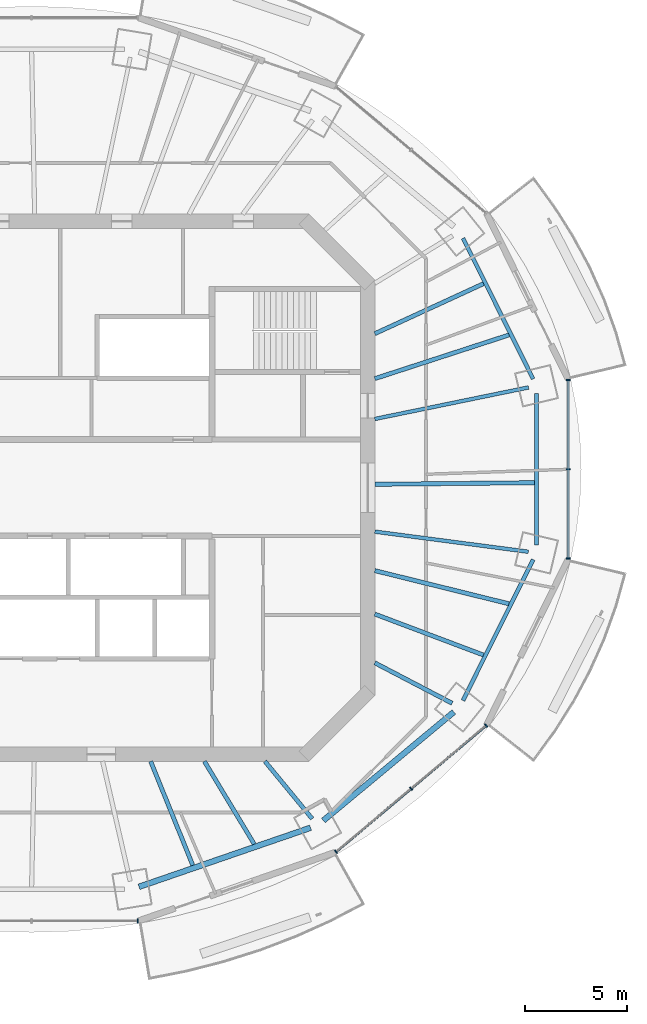
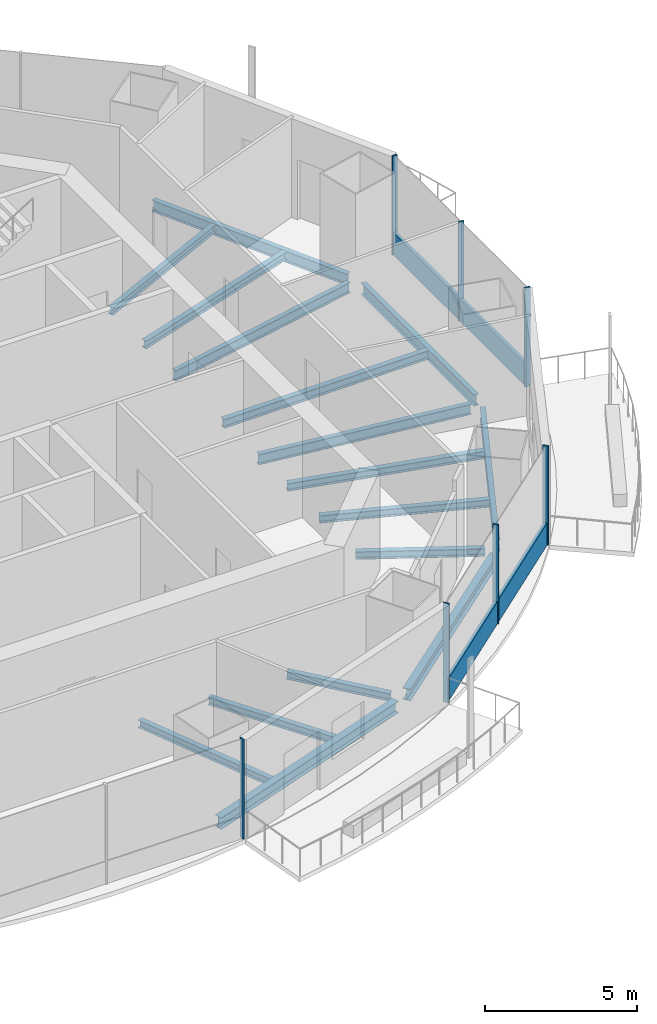
# One storey, part 4 of 16: 16 beams, 9 members, 3 elements without a shape of their own.
"""IFC4 building model written with IfcOpenShell, lengths in metres."""

from ifc_helpers import new_model, si_unit, direction, frame, origin, origin_2d, place, context, subcontext, project, spatial, rectangle, i_section, extrude, material, material_profile, profile_set, type_object, element, aggregate, save


model = new_model("IFC4")

# Units and contexts
model_context = context("Model", 3, precision=1e-05, world=origin(), true_north=direction((0.0, 1.0)))
body_context = subcontext(model_context, "Body", "Model", "MODEL_VIEW")
ifc_project = project(units=[si_unit("LENGTHUNIT", "METRE"), si_unit("AREAUNIT", "SQUARE_METRE"), si_unit("VOLUMEUNIT", "CUBIC_METRE"), si_unit("PLANEANGLEUNIT", "RADIAN"), si_unit("MASSUNIT", "GRAM", prefix="KILO")], contexts=[model_context])

# Site, building, storey
site_placement = place(None, origin())
site = spatial("IfcSite", under=ifc_project, at=site_placement, CompositionType="ELEMENT")
building_placement = place(site_placement, origin())
building = spatial("IfcBuilding", under=site, at=building_placement, Name="Marenthal Gate Tower", CompositionType="ELEMENT")
storey_placement = place(building_placement, frame((0.0, 0.0, 355.050048828125)))
storey = spatial("IfcBuildingStorey", under=building, at=storey_placement, Name="L80", CompositionType="ELEMENT", Elevation=355.050048828125)

# Curtain wall, member
ifc_material_1 = material(Name="Aluminium and glass", Category="aluminium")
curtain_wall_type = type_object("IfcCurtainWallType", Name="Curtain wall typical high", PredefinedType="NOTDEFINED", material=ifc_material_1)
curtain_wall_1_placement = place(storey_placement, origin())
curtain_wall_1 = element("IfcCurtainWall", 1, at=curtain_wall_1_placement, inside=storey, type_object=curtain_wall_type, Name="Curtain wall L80 bay 12", PredefinedType="NOTDEFINED")
ifc_material_2 = material(Name="Aluminium", Category="aluminium")
ifc_material_profile_1 = material_profile(ifc_material_2, rectangle(XDim=0.199951171875, YDim=0.06005859375, at=origin_2d()), Name="60x200 aluminium mullion")
ifc_profile_set_1 = profile_set([ifc_material_profile_1], Name="Aluminium")
member_type_1 = type_object("IfcMemberType", Name="Mullion 60x200 typical high", PredefinedType="MULLION", material=ifc_profile_set_1)
member_1_placement = place(storey_placement, frame((4.7802734375, -21.14404296875, 0.0), z_axis=(0.0, 0.0, 1.0), x_axis=(0.0, 1.0, 0.0)))
member_1 = element("IfcMember", 2, at=member_1_placement, type_object=member_type_1, Name="Mullion L80 bay 12.3", PredefinedType="MULLION", context=body_context, shape_type="SweptSolid", body=[
    extrude(rectangle(XDim=0.199951171875, YDim=0.06005859375, at=origin_2d()), origin(), (0.0, 0.0, 1.0), 3.969970703125),
])
aggregate(curtain_wall_1, [member_1])

# Curtain wall, members
curtain_wall_2_placement = place(storey_placement, origin())
curtain_wall_2 = element("IfcCurtainWall", 3, at=curtain_wall_2_placement, inside=storey, type_object=curtain_wall_type, Name="Curtain wall L80 bay 14", PredefinedType="NOTDEFINED")
member_2_placement = place(storey_placement, frame((14.46044921875, -17.768798828125, 0.0), z_axis=(0.0, 0.0, 1.0), x_axis=(-0.643895579249, 0.765113379195, 0.0)))
member_2 = element("IfcMember", 4, at=member_2_placement, type_object=member_type_1, Name="Mullion L80 bay 14.1", PredefinedType="MULLION", context=body_context, shape_type="SweptSolid", body=[
    extrude(rectangle(XDim=0.199951171875, YDim=0.06005859375, at=origin_2d()), origin(), (0.0, 0.0, 1.0), 3.969970703125),
])
member_3_placement = place(storey_placement, frame((18.121826171875, -14.6875, 0.0), z_axis=(0.0, 0.0, 1.0), x_axis=(-0.643895579249, 0.765113379195, 0.0)))
member_3 = element("IfcMember", 5, at=member_3_placement, type_object=member_type_1, Name="Mullion L80 bay 14.2", PredefinedType="MULLION", context=body_context, shape_type="SweptSolid", body=[
    extrude(rectangle(XDim=0.199951171875, YDim=0.06005859375, at=origin_2d()), origin(), (0.0, 0.0, 1.0), 3.969970703125),
])
member_4_placement = place(storey_placement, frame((21.783203125, -11.606201171875, 0.0), z_axis=(0.0, 0.0, 1.0), x_axis=(-0.643895579249, 0.765113379195, 0.0)))
member_4 = element("IfcMember", 6, at=member_4_placement, type_object=member_type_1, Name="Mullion L80 bay 14.3", PredefinedType="MULLION", context=body_context, shape_type="SweptSolid", body=[
    extrude(rectangle(XDim=0.199951171875, YDim=0.06005859375, at=origin_2d()), origin(), (0.0, 0.0, 1.0), 3.969970703125),
])

curtain_wall_3_placement = place(storey_placement, origin())
curtain_wall_3 = element("IfcCurtainWall", 7, at=curtain_wall_3_placement, inside=storey, type_object=curtain_wall_type, Name="Curtain wall L80 bay 16", PredefinedType="NOTDEFINED")
member_5_placement = place(storey_placement, frame((25.793701171875, -3.454833984375, 0.0), z_axis=(0.0, 0.0, 1.0), x_axis=(-1.0, 0.0, 0.0)))
member_5 = element("IfcMember", 8, at=member_5_placement, type_object=member_type_1, Name="Mullion L80 bay 16.1", PredefinedType="MULLION", context=body_context, shape_type="SweptSolid", body=[
    extrude(rectangle(XDim=0.199951171875, YDim=0.06005859375, at=origin_2d()), origin(), (0.0, 0.0, 1.0), 3.969970703125),
])
member_6_placement = place(storey_placement, frame((25.793701171875, 0.89990234375, 0.0), z_axis=(0.0, 0.0, 1.0), x_axis=(-1.0, 0.0, 0.0)))
member_6 = element("IfcMember", 9, at=member_6_placement, type_object=member_type_1, Name="Mullion L80 bay 16.2", PredefinedType="MULLION", context=body_context, shape_type="SweptSolid", body=[
    extrude(rectangle(XDim=0.199951171875, YDim=0.06005859375, at=origin_2d()), origin(), (0.0, 0.0, 1.0), 3.969970703125),
])
member_7_placement = place(storey_placement, frame((25.793701171875, 5.2548828125, 0.0), z_axis=(0.0, 0.0, 1.0), x_axis=(-1.0, 0.0, 0.0)))
member_7 = element("IfcMember", 10, at=member_7_placement, type_object=member_type_1, Name="Mullion L80 bay 16.3", PredefinedType="MULLION", context=body_context, shape_type="SweptSolid", body=[
    extrude(rectangle(XDim=0.199951171875, YDim=0.06005859375, at=origin_2d()), origin(), (0.0, 0.0, 1.0), 3.969970703125),
])

# Member
ifc_material_3 = material(Name="Aluminium", Category="aluminium")
ifc_material_profile_2 = material_profile(ifc_material_3, rectangle(XDim=0.1201171875, YDim=0.89990234375, at=origin_2d()), Name="120x900 aluminium transom")
ifc_profile_set_2 = profile_set([ifc_material_profile_2], Name="Aluminium")
member_type_2 = type_object("IfcMemberType", Name="Transom 120x900 typical high", PredefinedType="USERDEFINED", material=ifc_profile_set_2)
member_8_placement = place(storey_placement, frame((14.4833984375, -17.74951171875, 0.449951171875), z_axis=(0.765123507082, 0.643883544526, 0.0), x_axis=(-0.643883544526, 0.765123507082, 0.0)))
member_8 = element("IfcMember", 11, at=member_8_placement, type_object=member_type_2, Name="Transom L80 bay 14", ObjectType="TRANSOM", PredefinedType="USERDEFINED", context=body_context, shape_type="SweptSolid", body=[
    extrude(rectangle(XDim=0.1201171875, YDim=0.89990234375, at=origin_2d()), origin(), (0.0, 0.0, 1.0), 9.5107421875),
])

aggregate(curtain_wall_2, [member_2, member_3, member_4, member_8])

member_9_placement = place(storey_placement, frame((25.793701171875, -3.4248046875, 0.449951171875), z_axis=(0.0, 1.0, 0.0), x_axis=(-1.0, 0.0, 0.0)))
member_9 = element("IfcMember", 12, at=member_9_placement, type_object=member_type_2, Name="Transom L80 bay 16", ObjectType="TRANSOM", PredefinedType="USERDEFINED", context=body_context, shape_type="SweptSolid", body=[
    extrude(rectangle(XDim=0.1201171875, YDim=0.89990234375, at=origin_2d()), origin(), (0.0, 0.0, 1.0), 8.649658203125),
])

aggregate(curtain_wall_3, [member_5, member_6, member_7, member_9])

# Beams
ifc_material_4 = material(Name="Steel S355", Category="steel")
ifc_material_profile_3 = material_profile(ifc_material_4, i_section(OverallWidth=0.202880859375, OverallDepth=0.302001953125, WebThickness=0.007568359375, FlangeThickness=0.01318359375, FilletRadius=0.0126953125, at=origin_2d()), Name="W310X60")
ifc_profile_set_3 = profile_set([ifc_material_profile_3], Name="Steel S355")
beam_type_1 = type_object("IfcBeamType", Name="W310X60 beam", PredefinedType="BEAM", material=ifc_profile_set_3)
beam_1_placement = place(storey_placement, frame((21.656005859375, 9.95849609375, -0.3310546875), z_axis=(-0.908525049261, -0.417830390069, 0.0), x_axis=(0.417830390069, -0.908525049261, 0.0)))
element("IfcBeam", 13, at=beam_1_placement, inside=storey, type_object=beam_type_1, Name="BM-L80-18", PredefinedType="BEAM", context=body_context, shape_type="SweptSolid", body=[
    extrude(i_section(OverallWidth=0.202880859375, OverallDepth=0.302001953125, WebThickness=0.007568359375, FlangeThickness=0.01318359375, FilletRadius=0.0126953125, at=origin_2d()), origin(), (0.0, 0.0, 1.0), 5.840087890625),
])
beam_2_placement = place(storey_placement, frame((7.46875, -18.425048828125, -0.3310546875), z_axis=(-0.37566060871, 0.926757307532, 0.0), x_axis=(-0.926757307532, -0.37566060871, 0.0)))
element("IfcBeam", 14, at=beam_2_placement, inside=storey, type_object=beam_type_1, Name="BM-L80-35", PredefinedType="BEAM", context=body_context, shape_type="SweptSolid", body=[
    extrude(i_section(OverallWidth=0.202880859375, OverallDepth=0.302001953125, WebThickness=0.007568359375, FlangeThickness=0.01318359375, FilletRadius=0.0126953125, at=origin_2d()), origin(), (0.0, 0.0, 1.0), 5.47607421875),
])
beam_3_placement = place(storey_placement, frame((10.467041015625, -17.39208984375, -0.3310546875), z_axis=(-0.515690075221, 0.856775201741, 0.0), x_axis=(-0.856775201741, -0.515690075221, 0.0)))
element("IfcBeam", 15, at=beam_3_placement, inside=storey, type_object=beam_type_1, Name="BM-L80-36", PredefinedType="BEAM", context=body_context, shape_type="SweptSolid", body=[
    extrude(i_section(OverallWidth=0.202880859375, OverallDepth=0.302001953125, WebThickness=0.007568359375, FlangeThickness=0.01318359375, FilletRadius=0.0126953125, at=origin_2d()), origin(), (0.0, 0.0, 1.0), 4.7177734375),
])
beam_4_placement = place(storey_placement, frame((21.653076171875, -8.16455078125, -0.3310546875), z_axis=(-0.935681433013, 0.352845937931, 0.0), x_axis=(-0.352845937931, -0.935681433013, 0.0)))
element("IfcBeam", 16, at=beam_4_placement, inside=storey, type_object=beam_type_1, Name="BM-L80-37", PredefinedType="BEAM", context=body_context, shape_type="SweptSolid", body=[
    extrude(i_section(OverallWidth=0.202880859375, OverallDepth=0.302001953125, WebThickness=0.007568359375, FlangeThickness=0.01318359375, FilletRadius=0.0126953125, at=origin_2d()), origin(), (0.0, 0.0, 1.0), 5.66748046875),
])
ifc_material_5 = material(Name="Steel S355", Category="steel")
ifc_material_profile_4 = material_profile(ifc_material_5, i_section(OverallWidth=0.205078125, OverallDepth=0.31005859375, WebThickness=0.009521484375, FlangeThickness=0.016357421875, FilletRadius=0.0126953125, at=origin_2d()), Name="W310X74")
ifc_profile_set_4 = profile_set([ifc_material_profile_4], Name="Steel S355")
beam_type_2 = type_object("IfcBeamType", Name="W310X74 beam", PredefinedType="BEAM", material=ifc_profile_set_4)
beam_5_placement = place(storey_placement, frame((13.2958984375, -16.154052734375, -0.3349609375), z_axis=(-0.635457429148, 0.772135904968, 0.0), x_axis=(-0.772135904968, -0.635457429148, 0.0)))
element("IfcBeam", 17, at=beam_5_placement, inside=storey, type_object=beam_type_2, Name="BM-L80-14", PredefinedType="BEAM", context=body_context, shape_type="SweptSolid", body=[
    extrude(i_section(OverallWidth=0.205078125, OverallDepth=0.31005859375, WebThickness=0.009521484375, FlangeThickness=0.016357421875, FilletRadius=0.0126953125, at=origin_2d()), origin(), (0.0, 0.0, 1.0), 3.63134765625),
])
beam_6_placement = place(storey_placement, frame((20.122314453125, -10.515869140625, -0.3349609375), z_axis=(-0.886264510552, 0.463179465582, 0.0), x_axis=(-0.463179465582, -0.886264510552, 0.0)))
element("IfcBeam", 18, at=beam_6_placement, inside=storey, type_object=beam_type_2, Name="BM-L80-15", PredefinedType="BEAM", context=body_context, shape_type="SweptSolid", body=[
    extrude(i_section(OverallWidth=0.205078125, OverallDepth=0.31005859375, WebThickness=0.009521484375, FlangeThickness=0.016357421875, FilletRadius=0.0126953125, at=origin_2d()), origin(), (0.0, 0.0, 1.0), 4.25634765625),
])
beam_7_placement = place(storey_placement, frame((22.90185546875, 7.45751953125, -0.3349609375), z_axis=(-0.950864154152, -0.309608398382, 0.0), x_axis=(0.309608398382, -0.950864154152, 0.0)))
element("IfcBeam", 19, at=beam_7_placement, inside=storey, type_object=beam_type_2, Name="BM-L80-17", PredefinedType="BEAM", context=body_context, shape_type="SweptSolid", body=[
    extrude(i_section(OverallWidth=0.205078125, OverallDepth=0.31005859375, WebThickness=0.009521484375, FlangeThickness=0.016357421875, FilletRadius=0.0126953125, at=origin_2d()), origin(), (0.0, 0.0, 1.0), 6.890380859375),
])
beam_8_placement = place(storey_placement, frame((22.898681640625, -5.6640625, -0.3349609375), z_axis=(-0.970741975018, 0.240125004818, 0.0), x_axis=(-0.240125004818, -0.970741975018, 0.0)))
element("IfcBeam", 20, at=beam_8_placement, inside=storey, type_object=beam_type_2, Name="BM-L80-38", PredefinedType="BEAM", context=body_context, shape_type="SweptSolid", body=[
    extrude(i_section(OverallWidth=0.205078125, OverallDepth=0.31005859375, WebThickness=0.009521484375, FlangeThickness=0.016357421875, FilletRadius=0.0126953125, at=origin_2d()), origin(), (0.0, 0.0, 1.0), 6.745849609375),
])
ifc_material_6 = material(Name="Steel S355", Category="steel")
ifc_material_profile_5 = material_profile(ifc_material_6, i_section(OverallWidth=0.205078125, OverallDepth=0.35302734375, WebThickness=0.009521484375, FlangeThickness=0.016845703125, FilletRadius=0.014892578125, at=origin_2d()), Name="W360X79")
ifc_profile_set_5 = profile_set([ifc_material_profile_5], Name="Steel S355")
beam_type_3 = type_object("IfcBeamType", Name="W360X79 beam", PredefinedType="BEAM", material=ifc_profile_set_5)
beam_9_placement = place(storey_placement, frame((24.148681640625, 0.246826171875, -0.3564453125), z_axis=(-0.999947606191, -0.010236448274, 0.0), x_axis=(0.010236448274, -0.999947606191, 0.0)))
element("IfcBeam", 21, at=beam_9_placement, inside=storey, type_object=beam_type_3, Name="BM-L80-39", PredefinedType="BEAM", context=body_context, shape_type="SweptSolid", body=[
    extrude(i_section(OverallWidth=0.205078125, OverallDepth=0.35302734375, WebThickness=0.009521484375, FlangeThickness=0.016845703125, FilletRadius=0.014892578125, at=origin_2d()), origin(), (0.0, 0.0, 1.0), 7.799072265625),
])
ifc_material_7 = material(Name="Steel S355", Category="steel")
ifc_material_profile_6 = material_profile(ifc_material_7, i_section(OverallWidth=0.180908203125, OverallDepth=0.4169921875, WebThickness=0.010986328125, FlangeThickness=0.018310546875, FilletRadius=0.01025390625, at=origin_2d()), Name="W410X85")
ifc_profile_set_6 = profile_set([ifc_material_profile_6], Name="Steel S355")
beam_type_4 = type_object("IfcBeamType", Name="W410X85 beam", PredefinedType="BEAM", material=ifc_profile_set_6)
beam_10_placement = place(storey_placement, frame((23.851806640625, 4.89599609375, -0.388427734375), z_axis=(-0.979577430245, -0.201067297574, 0.0), x_axis=(0.201067297574, -0.979577430245, 0.0)))
element("IfcBeam", 22, at=beam_10_placement, inside=storey, type_object=beam_type_4, Name="BM-L80-01", PredefinedType="BEAM", context=body_context, shape_type="SweptSolid", body=[
    extrude(i_section(OverallWidth=0.180908203125, OverallDepth=0.4169921875, WebThickness=0.010986328125, FlangeThickness=0.018310546875, FilletRadius=0.01025390625, at=origin_2d()), origin(), (0.0, 0.0, 1.0), 7.658203125),
])
beam_11_placement = place(storey_placement, frame((23.8427734375, -3.1240234375, -0.388427734375), z_axis=(-0.99152584313, 0.129909593197, 0.0), x_axis=(-0.129909593197, -0.99152584313, 0.0)))
element("IfcBeam", 23, at=beam_11_placement, inside=storey, type_object=beam_type_4, Name="BM-L80-16", PredefinedType="BEAM", context=body_context, shape_type="SweptSolid", body=[
    extrude(i_section(OverallWidth=0.180908203125, OverallDepth=0.4169921875, WebThickness=0.010986328125, FlangeThickness=0.018310546875, FilletRadius=0.01025390625, at=origin_2d()), origin(), (0.0, 0.0, 1.0), 7.556640625),
])
ifc_material_8 = material(Name="Steel S355", Category="steel")
ifc_material_profile_7 = material_profile(ifc_material_8, i_section(OverallWidth=0.279052734375, OverallDepth=0.4619140625, WebThickness=0.0107421875, FlangeThickness=0.017333984375, FilletRadius=0.010009765625, at=origin_2d()), Name="W460X113")
ifc_profile_set_7 = profile_set([ifc_material_profile_7], Name="Steel S355")
beam_type_5 = type_object("IfcBeamType", Name="W460X113 beam", PredefinedType="BEAM", material=ifc_profile_set_7)
beam_12_placement = place(storey_placement, frame((4.844482421875, -19.4765625, -0.4111328125), z_axis=(0.945479001123, 0.325683064398, 0.0), x_axis=(-0.325683064398, 0.945479001123, 0.0)))
element("IfcBeam", 24, at=beam_12_placement, inside=storey, type_object=beam_type_5, Name="BM-L80-52", PredefinedType="BEAM", context=body_context, shape_type="SweptSolid", body=[
    extrude(i_section(OverallWidth=0.279052734375, OverallDepth=0.4619140625, WebThickness=0.0107421875, FlangeThickness=0.017333984375, FilletRadius=0.010009765625, at=origin_2d()), origin(), (0.0, 0.0, 1.0), 8.8544921875),
])
beam_13_placement = place(storey_placement, frame((13.840576171875, -16.240966796875, -0.4111328125), z_axis=(0.768858647444, 0.639418783155, 0.0), x_axis=(-0.639418783155, 0.768858647444, 0.0)))
element("IfcBeam", 25, at=beam_13_placement, inside=storey, type_object=beam_type_5, Name="BM-L80-53", PredefinedType="BEAM", context=body_context, shape_type="SweptSolid", body=[
    extrude(i_section(OverallWidth=0.279052734375, OverallDepth=0.4619140625, WebThickness=0.0107421875, FlangeThickness=0.017333984375, FilletRadius=0.010009765625, at=origin_2d()), origin(), (0.0, 0.0, 1.0), 8.283935546875),
])
ifc_material_9 = material(Name="Steel S355", Category="steel")
ifc_material_profile_8 = material_profile(ifc_material_9, i_section(OverallWidth=0.19091796875, OverallDepth=0.45703125, WebThickness=0.009033203125, FlangeThickness=0.014404296875, FilletRadius=0.01025390625, at=origin_2d()), Name="W460X74")
ifc_profile_set_8 = profile_set([ifc_material_profile_8], Name="Steel S355")
beam_type_6 = type_object("IfcBeamType", Name="W460X74 beam", PredefinedType="BEAM", material=ifc_profile_set_8)
for number, where, z_axis, x_axis, name in (
    (26, (24.078125, 5.31005859375, -0.408447265625), (-0.445851213562, 0.895107085977, 0.0), (-0.895107085977, -0.445851213562, 0.0), "BM-L80-40"),
    (27, (20.6572265625, -10.3779296875, -0.408447265625), (0.445851213562, 0.895107085977, 0.0), (-0.895107085977, 0.445851213562, 0.0), "BM-L80-54"),
):
    element("IfcBeam", number, at=place(storey_placement, frame(where, z_axis=z_axis, x_axis=x_axis)), inside=storey, type_object=beam_type_6, Name=name, PredefinedType="BEAM", context=body_context, shape_type="SweptSolid", body=[
        extrude(i_section(OverallWidth=0.19091796875, OverallDepth=0.45703125, WebThickness=0.009033203125, FlangeThickness=0.014404296875, FilletRadius=0.01025390625, at=origin_2d()), origin(), (0.0, 0.0, 1.0), 7.6728515625),
    ])
beam_14_placement = place(storey_placement, frame((24.244140625, -2.802490234375, -0.408447265625), z_axis=(0.0, 1.0, 0.0), x_axis=(-1.0, 0.0, 0.0)))
element("IfcBeam", 28, at=beam_14_placement, inside=storey, type_object=beam_type_6, Name="BM-L80-55", PredefinedType="BEAM", context=body_context, shape_type="SweptSolid", body=[
    extrude(i_section(OverallWidth=0.19091796875, OverallDepth=0.45703125, WebThickness=0.009033203125, FlangeThickness=0.014404296875, FilletRadius=0.01025390625, at=origin_2d()), origin(), (0.0, 0.0, 1.0), 7.405029296875),
])

save(model, "model.ifc")
